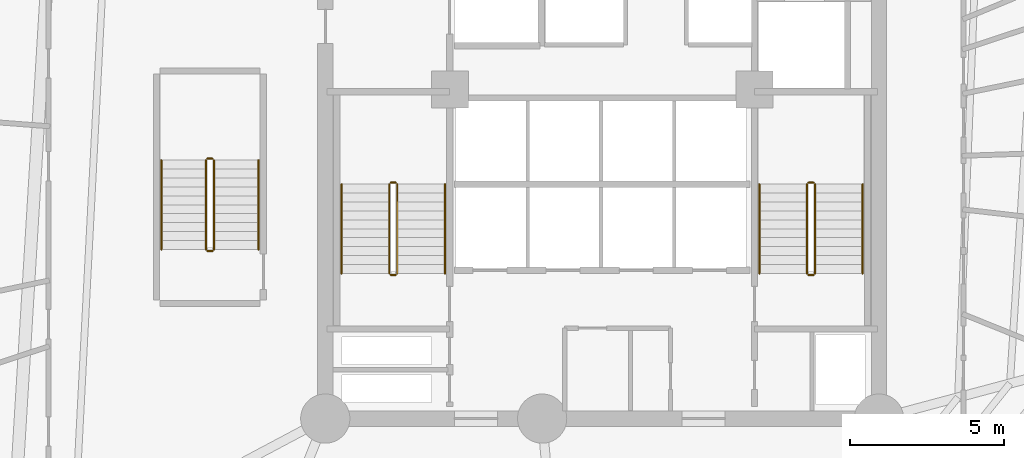
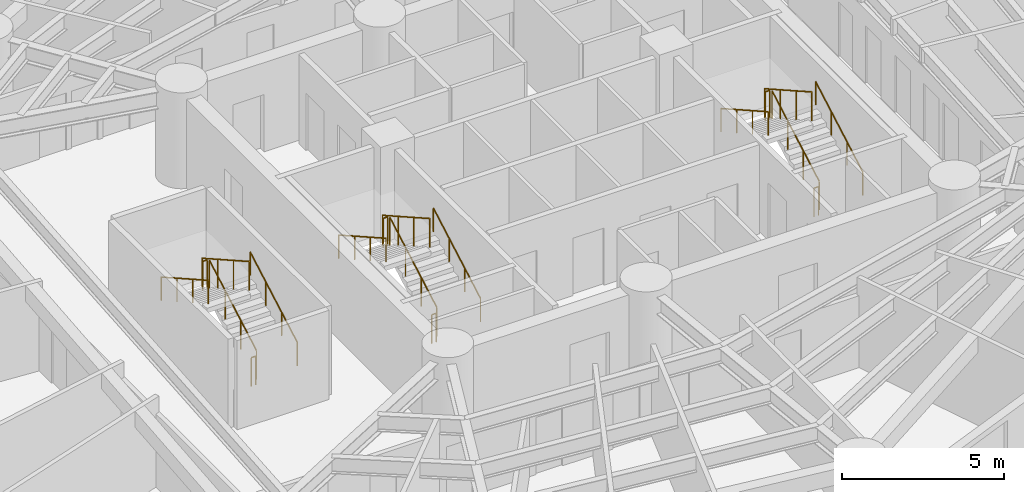
# One storey, part 8 of 8: 18 railings.
"""IFC4 building model written with IfcOpenShell, lengths in metres."""

from ifc_helpers import new_model, si_unit, direction, frame, origin, origin_2d, place, context, subcontext, project, spatial, circle, extrude, material, layer, layer_set, type_object, element, save


model = new_model("IFC4")

# Units and contexts
model_context = context("Model", 3, precision=1e-05, world=origin(), true_north=direction((0.0, 1.0)))
body_context = subcontext(model_context, "Body", "Model", "MODEL_VIEW")
ifc_project = project(units=[si_unit("LENGTHUNIT", "METRE"), si_unit("AREAUNIT", "SQUARE_METRE"), si_unit("VOLUMEUNIT", "CUBIC_METRE"), si_unit("PLANEANGLEUNIT", "RADIAN"), si_unit("MASSUNIT", "GRAM", prefix="KILO")], contexts=[model_context])

# Site, building, storey
site_placement = place(None, origin())
site = spatial("IfcSite", under=ifc_project, at=site_placement, CompositionType="ELEMENT")
building_placement = place(site_placement, origin())
building = spatial("IfcBuilding", under=site, at=building_placement, Name="Karkom Vertical University and Central Library", CompositionType="ELEMENT")
storey_placement = place(building_placement, frame((0.0, 0.0, 40.89990234375)))
storey = spatial("IfcBuildingStorey", under=building, at=storey_placement, Name="L10", CompositionType="ELEMENT", Elevation=40.89990234375)

# Railings
ifc_material_1 = material(Name="Painted galvanised steel balustrade", Category="steel")
ifc_layer_1 = layer(ifc_material_1, 0.06005859375)
ifc_layer_set_1 = layer_set([ifc_layer_1], Name="Painted galvanised steel balustrade")
railing_type_1 = type_object("IfcRailingType", Name="INT-RL-GUARD1100", PredefinedType="GUARDRAIL", material=ifc_layer_set_1)
railing_1_placement = place(storey_placement, frame((21.840087890625, 23.02001953125, 0.163818359375)))
element("IfcRailing", 1, at=railing_1_placement, inside=storey, type_object=railing_type_1, Name="Level 10 ST-1 stair guard 1", PredefinedType="GUARDRAIL", context=body_context, shape_type="SweptSolid", body=[
    extrude(circle(Radius=0.02392578125, at=origin_2d()), frame((0.0, 0.0, 1.076171875), z_axis=(0.0, 0.870928581787, 0.491409610636), x_axis=(-1.0, 0.0, 0.0)), (0.0, 0.0, 1.0), 3.32958984375),
    extrude(circle(Radius=0.02099609375, at=origin_2d()), origin(), (0.0, 0.0, 1.0), 1.052001953125),
    extrude(circle(Radius=0.02099609375, at=origin_2d()), frame((0.0, 0.966552734375, 0.54541015625)), (0.0, 0.0, 1.0), 1.052001953125),
    extrude(circle(Radius=0.02099609375, at=origin_2d()), frame((0.0, 1.933349609375, 1.0908203125)), (0.0, 0.0, 1.0), 1.052001953125),
    extrude(circle(Radius=0.02099609375, at=origin_2d()), frame((0.0, 2.89990234375, 1.63623046875)), (0.0, 0.0, 1.0), 1.052001953125),
])
railing_2_placement = place(storey_placement, frame((21.7900390625, 25.969970703125, 1.800048828125)))
element("IfcRailing", 2, at=railing_2_placement, inside=storey, type_object=railing_type_1, Name="Level 10 ST-1 stair guard 2", PredefinedType="GUARDRAIL", context=body_context, shape_type="SweptSolid", body=[
    extrude(circle(Radius=0.02392578125, at=origin_2d()), frame((0.0, 0.0, 1.076171875), z_axis=(-1.0, 0.0, 0.0), x_axis=(0.0, -1.0, 0.0)), (0.0, 0.0, 1.0), 0.16015625),
    extrude(circle(Radius=0.02099609375, at=origin_2d()), origin(), (0.0, 0.0, 1.0), 1.052001953125),
    extrude(circle(Radius=0.02099609375, at=origin_2d()), frame((-0.16015625, 0.0, 0.0)), (0.0, 0.0, 1.0), 1.052001953125),
])
railing_3_placement = place(storey_placement, frame((21.580078125, 25.919921875, 1.963623046875)))
element("IfcRailing", 3, at=railing_3_placement, inside=storey, type_object=railing_type_1, Name="Level 10 ST-1 stair guard 3", PredefinedType="GUARDRAIL", context=body_context, shape_type="SweptSolid", body=[
    extrude(circle(Radius=0.02392578125, at=origin_2d()), frame((0.0, 0.0, 1.076171875), z_axis=(0.0, -0.870897200241, 0.491465224214), x_axis=(1.0, 0.0, 0.0)), (0.0, 0.0, 1.0), 3.329833984375),
    extrude(circle(Radius=0.02099609375, at=origin_2d()), origin(), (0.0, 0.0, 1.0), 1.052001953125),
    extrude(circle(Radius=0.02099609375, at=origin_2d()), frame((0.0, -0.966552734375, 0.54541015625)), (0.0, 0.0, 1.0), 1.052001953125),
    extrude(circle(Radius=0.02099609375, at=origin_2d()), frame((0.0, -1.933349609375, 1.091064453125)), (0.0, 0.0, 1.0), 1.052001953125),
    extrude(circle(Radius=0.02099609375, at=origin_2d()), frame((0.0, -2.89990234375, 1.636474609375)), (0.0, 0.0, 1.0), 1.052001953125),
])
railing_4_placement = place(storey_placement, frame((21.7900390625, 22.969970703125, 0.0)))
element("IfcRailing", 4, at=railing_4_placement, inside=storey, type_object=railing_type_1, Name="Level 10 ST-1 stair guard 4", PredefinedType="GUARDRAIL", context=body_context, shape_type="SweptSolid", body=[
    extrude(circle(Radius=0.02392578125, at=origin_2d()), frame((0.0, 0.0, 1.076171875), z_axis=(-1.0, 0.0, 0.0), x_axis=(0.0, -1.0, 0.0)), (0.0, 0.0, 1.0), 0.16015625),
    extrude(circle(Radius=0.02099609375, at=origin_2d()), origin(), (0.0, 0.0, 1.0), 1.052001953125),
    extrude(circle(Radius=0.02099609375, at=origin_2d()), frame((-0.16015625, 0.0, 0.0)), (0.0, 0.0, 1.0), 1.052001953125),
])
railing_5_placement = place(storey_placement, frame((35.419921875, 23.02001953125, 0.163818359375)))
element("IfcRailing", 5, at=railing_5_placement, inside=storey, type_object=railing_type_1, Name="Level 10 ST-2 stair guard 1", PredefinedType="GUARDRAIL", context=body_context, shape_type="SweptSolid", body=[
    extrude(circle(Radius=0.02392578125, at=origin_2d()), frame((0.0, 0.0, 1.076171875), z_axis=(0.0, 0.870928581787, 0.491409610636), x_axis=(-1.0, 0.0, 0.0)), (0.0, 0.0, 1.0), 3.32958984375),
    extrude(circle(Radius=0.02099609375, at=origin_2d()), origin(), (0.0, 0.0, 1.0), 1.052001953125),
    extrude(circle(Radius=0.02099609375, at=origin_2d()), frame((0.0, 0.966552734375, 0.54541015625)), (0.0, 0.0, 1.0), 1.052001953125),
    extrude(circle(Radius=0.02099609375, at=origin_2d()), frame((0.0, 1.933349609375, 1.0908203125)), (0.0, 0.0, 1.0), 1.052001953125),
    extrude(circle(Radius=0.02099609375, at=origin_2d()), frame((0.0, 2.89990234375, 1.63623046875)), (0.0, 0.0, 1.0), 1.052001953125),
])
railing_6_placement = place(storey_placement, frame((35.3701171875, 25.969970703125, 1.800048828125)))
element("IfcRailing", 6, at=railing_6_placement, inside=storey, type_object=railing_type_1, Name="Level 10 ST-2 stair guard 2", PredefinedType="GUARDRAIL", context=body_context, shape_type="SweptSolid", body=[
    extrude(circle(Radius=0.02392578125, at=origin_2d()), frame((0.0, 0.0, 1.076171875), z_axis=(-1.0, 0.0, 0.0), x_axis=(0.0, -1.0, 0.0)), (0.0, 0.0, 1.0), 0.16015625),
    extrude(circle(Radius=0.02099609375, at=origin_2d()), origin(), (0.0, 0.0, 1.0), 1.052001953125),
    extrude(circle(Radius=0.02099609375, at=origin_2d()), frame((-0.16015625, 0.0, 0.0)), (0.0, 0.0, 1.0), 1.052001953125),
])
railing_7_placement = place(storey_placement, frame((35.159912109375, 25.919921875, 1.963623046875)))
element("IfcRailing", 7, at=railing_7_placement, inside=storey, type_object=railing_type_1, Name="Level 10 ST-2 stair guard 3", PredefinedType="GUARDRAIL", context=body_context, shape_type="SweptSolid", body=[
    extrude(circle(Radius=0.02392578125, at=origin_2d()), frame((0.0, 0.0, 1.076171875), z_axis=(0.0, -0.870897200241, 0.491465224214), x_axis=(1.0, 0.0, 0.0)), (0.0, 0.0, 1.0), 3.329833984375),
    extrude(circle(Radius=0.02099609375, at=origin_2d()), origin(), (0.0, 0.0, 1.0), 1.052001953125),
    extrude(circle(Radius=0.02099609375, at=origin_2d()), frame((0.0, -0.966552734375, 0.54541015625)), (0.0, 0.0, 1.0), 1.052001953125),
    extrude(circle(Radius=0.02099609375, at=origin_2d()), frame((0.0, -1.933349609375, 1.091064453125)), (0.0, 0.0, 1.0), 1.052001953125),
    extrude(circle(Radius=0.02099609375, at=origin_2d()), frame((0.0, -2.89990234375, 1.636474609375)), (0.0, 0.0, 1.0), 1.052001953125),
])
railing_8_placement = place(storey_placement, frame((35.3701171875, 22.969970703125, 0.0)))
element("IfcRailing", 8, at=railing_8_placement, inside=storey, type_object=railing_type_1, Name="Level 10 ST-2 stair guard 4", PredefinedType="GUARDRAIL", context=body_context, shape_type="SweptSolid", body=[
    extrude(circle(Radius=0.02392578125, at=origin_2d()), frame((0.0, 0.0, 1.076171875), z_axis=(-1.0, 0.0, 0.0), x_axis=(0.0, -1.0, 0.0)), (0.0, 0.0, 1.0), 0.16015625),
    extrude(circle(Radius=0.02099609375, at=origin_2d()), origin(), (0.0, 0.0, 1.0), 1.052001953125),
    extrude(circle(Radius=0.02099609375, at=origin_2d()), frame((-0.16015625, 0.0, 0.0)), (0.0, 0.0, 1.0), 1.052001953125),
])
railing_9_placement = place(storey_placement, frame((15.8798828125, 23.800048828125, 0.163818359375)))
element("IfcRailing", 9, at=railing_9_placement, inside=storey, type_object=railing_type_1, Name="Level 10 ST-3 stair guard 1", PredefinedType="GUARDRAIL", context=body_context, shape_type="SweptSolid", body=[
    extrude(circle(Radius=0.02392578125, at=origin_2d()), frame((0.0, 0.0, 1.076171875), z_axis=(0.0, 0.870928581787, 0.491409610636), x_axis=(-1.0, 0.0, 0.0)), (0.0, 0.0, 1.0), 3.32958984375),
    extrude(circle(Radius=0.02099609375, at=origin_2d()), origin(), (0.0, 0.0, 1.0), 1.052001953125),
    extrude(circle(Radius=0.02099609375, at=origin_2d()), frame((0.0, 0.966552734375, 0.54541015625)), (0.0, 0.0, 1.0), 1.052001953125),
    extrude(circle(Radius=0.02099609375, at=origin_2d()), frame((0.0, 1.933349609375, 1.0908203125)), (0.0, 0.0, 1.0), 1.052001953125),
    extrude(circle(Radius=0.02099609375, at=origin_2d()), frame((0.0, 2.89990234375, 1.63623046875)), (0.0, 0.0, 1.0), 1.052001953125),
])
railing_10_placement = place(storey_placement, frame((15.830078125, 26.75, 1.800048828125)))
element("IfcRailing", 10, at=railing_10_placement, inside=storey, type_object=railing_type_1, Name="Level 10 ST-3 stair guard 2", PredefinedType="GUARDRAIL", context=body_context, shape_type="SweptSolid", body=[
    extrude(circle(Radius=0.02392578125, at=origin_2d()), frame((0.0, 0.0, 1.076171875), z_axis=(-1.0, 0.0, 0.0), x_axis=(0.0, -1.0, 0.0)), (0.0, 0.0, 1.0), 0.16015625),
    extrude(circle(Radius=0.02099609375, at=origin_2d()), origin(), (0.0, 0.0, 1.0), 1.052001953125),
    extrude(circle(Radius=0.02099609375, at=origin_2d()), frame((-0.16015625, 0.0, 0.0)), (0.0, 0.0, 1.0), 1.052001953125),
])
railing_11_placement = place(storey_placement, frame((15.6201171875, 26.699951171875, 1.963623046875)))
element("IfcRailing", 11, at=railing_11_placement, inside=storey, type_object=railing_type_1, Name="Level 10 ST-3 stair guard 3", PredefinedType="GUARDRAIL", context=body_context, shape_type="SweptSolid", body=[
    extrude(circle(Radius=0.02392578125, at=origin_2d()), frame((0.0, 0.0, 1.076171875), z_axis=(0.0, -0.870897200241, 0.491465224214), x_axis=(1.0, 0.0, 0.0)), (0.0, 0.0, 1.0), 3.329833984375),
    extrude(circle(Radius=0.02099609375, at=origin_2d()), origin(), (0.0, 0.0, 1.0), 1.052001953125),
    extrude(circle(Radius=0.02099609375, at=origin_2d()), frame((0.0, -0.966552734375, 0.54541015625)), (0.0, 0.0, 1.0), 1.052001953125),
    extrude(circle(Radius=0.02099609375, at=origin_2d()), frame((0.0, -1.933349609375, 1.091064453125)), (0.0, 0.0, 1.0), 1.052001953125),
    extrude(circle(Radius=0.02099609375, at=origin_2d()), frame((0.0, -2.89990234375, 1.636474609375)), (0.0, 0.0, 1.0), 1.052001953125),
])
railing_12_placement = place(storey_placement, frame((15.830078125, 23.75, 0.0)))
element("IfcRailing", 12, at=railing_12_placement, inside=storey, type_object=railing_type_1, Name="Level 10 ST-3 stair guard 4", PredefinedType="GUARDRAIL", context=body_context, shape_type="SweptSolid", body=[
    extrude(circle(Radius=0.02392578125, at=origin_2d()), frame((0.0, 0.0, 1.076171875), z_axis=(-1.0, 0.0, 0.0), x_axis=(0.0, -1.0, 0.0)), (0.0, 0.0, 1.0), 0.16015625),
    extrude(circle(Radius=0.02099609375, at=origin_2d()), origin(), (0.0, 0.0, 1.0), 1.052001953125),
    extrude(circle(Radius=0.02099609375, at=origin_2d()), frame((-0.16015625, 0.0, 0.0)), (0.0, 0.0, 1.0), 1.052001953125),
])
ifc_material_2 = material(Name="Brushed stainless-steel tubular handrail", Category="steel")
ifc_layer_2 = layer(ifc_material_2, 0.048095703125)
ifc_layer_set_2 = layer_set([ifc_layer_2], Name="Brushed stainless-steel tubular handrail")
railing_type_2 = type_object("IfcRailingType", Name="INT-RL-HAND920", PredefinedType="HANDRAIL", material=ifc_layer_set_2)
railing_13_placement = place(storey_placement, frame((23.389892578125, 23.02001953125, 0.163818359375)))
element("IfcRailing", 13, at=railing_13_placement, inside=storey, type_object=railing_type_2, Name="Level 10 ST-1 stair handrail 1", PredefinedType="HANDRAIL", context=body_context, shape_type="SweptSolid", body=[
    extrude(circle(Radius=0.02392578125, at=origin_2d()), frame((0.0, 0.0, 0.8759765625), z_axis=(0.0, 0.870928581787, 0.491409610636), x_axis=(-1.0, 0.0, 0.0)), (0.0, 0.0, 1.0), 3.32958984375),
    extrude(circle(Radius=0.02099609375, at=origin_2d()), origin(), (0.0, 0.0, 1.0), 0.851806640625),
    extrude(circle(Radius=0.02099609375, at=origin_2d()), frame((0.0, 0.966552734375, 0.54541015625)), (0.0, 0.0, 1.0), 0.851806640625),
    extrude(circle(Radius=0.02099609375, at=origin_2d()), frame((0.0, 1.933349609375, 1.0908203125)), (0.0, 0.0, 1.0), 0.851806640625),
    extrude(circle(Radius=0.02099609375, at=origin_2d()), frame((0.0, 2.89990234375, 1.63623046875)), (0.0, 0.0, 1.0), 0.851806640625),
])
railing_14_placement = place(storey_placement, frame((20.030029296875, 25.919921875, 1.963623046875)))
element("IfcRailing", 14, at=railing_14_placement, inside=storey, type_object=railing_type_2, Name="Level 10 ST-1 stair handrail 2", PredefinedType="HANDRAIL", context=body_context, shape_type="SweptSolid", body=[
    extrude(circle(Radius=0.02392578125, at=origin_2d()), frame((0.0, 0.0, 0.8759765625), z_axis=(0.0, -0.870897200241, 0.491465224214), x_axis=(1.0, 0.0, 0.0)), (0.0, 0.0, 1.0), 3.329833984375),
    extrude(circle(Radius=0.02099609375, at=origin_2d()), origin(), (0.0, 0.0, 1.0), 0.851806640625),
    extrude(circle(Radius=0.02099609375, at=origin_2d()), frame((0.0, -0.966552734375, 0.54541015625)), (0.0, 0.0, 1.0), 0.851806640625),
    extrude(circle(Radius=0.02099609375, at=origin_2d()), frame((0.0, -1.933349609375, 1.091064453125)), (0.0, 0.0, 1.0), 0.851806640625),
    extrude(circle(Radius=0.02099609375, at=origin_2d()), frame((0.0, -2.89990234375, 1.636474609375)), (0.0, 0.0, 1.0), 0.851806640625),
])
railing_15_placement = place(storey_placement, frame((36.969970703125, 23.02001953125, 0.163818359375)))
element("IfcRailing", 15, at=railing_15_placement, inside=storey, type_object=railing_type_2, Name="Level 10 ST-2 stair handrail 1", PredefinedType="HANDRAIL", context=body_context, shape_type="SweptSolid", body=[
    extrude(circle(Radius=0.02392578125, at=origin_2d()), frame((0.0, 0.0, 0.8759765625), z_axis=(0.0, 0.870928581787, 0.491409610636), x_axis=(-1.0, 0.0, 0.0)), (0.0, 0.0, 1.0), 3.32958984375),
    extrude(circle(Radius=0.02099609375, at=origin_2d()), origin(), (0.0, 0.0, 1.0), 0.851806640625),
    extrude(circle(Radius=0.02099609375, at=origin_2d()), frame((0.0, 0.966552734375, 0.54541015625)), (0.0, 0.0, 1.0), 0.851806640625),
    extrude(circle(Radius=0.02099609375, at=origin_2d()), frame((0.0, 1.933349609375, 1.0908203125)), (0.0, 0.0, 1.0), 0.851806640625),
    extrude(circle(Radius=0.02099609375, at=origin_2d()), frame((0.0, 2.89990234375, 1.63623046875)), (0.0, 0.0, 1.0), 0.851806640625),
])
railing_16_placement = place(storey_placement, frame((33.610107421875, 25.919921875, 1.963623046875)))
element("IfcRailing", 16, at=railing_16_placement, inside=storey, type_object=railing_type_2, Name="Level 10 ST-2 stair handrail 2", PredefinedType="HANDRAIL", context=body_context, shape_type="SweptSolid", body=[
    extrude(circle(Radius=0.02392578125, at=origin_2d()), frame((0.0, 0.0, 0.8759765625), z_axis=(0.0, -0.870897200241, 0.491465224214), x_axis=(1.0, 0.0, 0.0)), (0.0, 0.0, 1.0), 3.329833984375),
    extrude(circle(Radius=0.02099609375, at=origin_2d()), origin(), (0.0, 0.0, 1.0), 0.851806640625),
    extrude(circle(Radius=0.02099609375, at=origin_2d()), frame((0.0, -0.966552734375, 0.54541015625)), (0.0, 0.0, 1.0), 0.851806640625),
    extrude(circle(Radius=0.02099609375, at=origin_2d()), frame((0.0, -1.933349609375, 1.091064453125)), (0.0, 0.0, 1.0), 0.851806640625),
    extrude(circle(Radius=0.02099609375, at=origin_2d()), frame((0.0, -2.89990234375, 1.636474609375)), (0.0, 0.0, 1.0), 0.851806640625),
])
railing_17_placement = place(storey_placement, frame((17.330078125, 23.800048828125, 0.163818359375)))
element("IfcRailing", 17, at=railing_17_placement, inside=storey, type_object=railing_type_2, Name="Level 10 ST-3 stair handrail 1", PredefinedType="HANDRAIL", context=body_context, shape_type="SweptSolid", body=[
    extrude(circle(Radius=0.02392578125, at=origin_2d()), frame((0.0, 0.0, 0.8759765625), z_axis=(0.0, 0.870928581787, 0.491409610636), x_axis=(-1.0, 0.0, 0.0)), (0.0, 0.0, 1.0), 3.32958984375),
    extrude(circle(Radius=0.02099609375, at=origin_2d()), origin(), (0.0, 0.0, 1.0), 0.851806640625),
    extrude(circle(Radius=0.02099609375, at=origin_2d()), frame((0.0, 0.966552734375, 0.54541015625)), (0.0, 0.0, 1.0), 0.851806640625),
    extrude(circle(Radius=0.02099609375, at=origin_2d()), frame((0.0, 1.933349609375, 1.0908203125)), (0.0, 0.0, 1.0), 0.851806640625),
    extrude(circle(Radius=0.02099609375, at=origin_2d()), frame((0.0, 2.89990234375, 1.63623046875)), (0.0, 0.0, 1.0), 0.851806640625),
])
railing_18_placement = place(storey_placement, frame((14.169921875, 26.699951171875, 1.963623046875)))
element("IfcRailing", 18, at=railing_18_placement, inside=storey, type_object=railing_type_2, Name="Level 10 ST-3 stair handrail 2", PredefinedType="HANDRAIL", context=body_context, shape_type="SweptSolid", body=[
    extrude(circle(Radius=0.02392578125, at=origin_2d()), frame((0.0, 0.0, 0.8759765625), z_axis=(0.0, -0.870897200241, 0.491465224214), x_axis=(1.0, 0.0, 0.0)), (0.0, 0.0, 1.0), 3.329833984375),
    extrude(circle(Radius=0.02099609375, at=origin_2d()), origin(), (0.0, 0.0, 1.0), 0.851806640625),
    extrude(circle(Radius=0.02099609375, at=origin_2d()), frame((0.0, -0.966552734375, 0.54541015625)), (0.0, 0.0, 1.0), 0.851806640625),
    extrude(circle(Radius=0.02099609375, at=origin_2d()), frame((0.0, -1.933349609375, 1.091064453125)), (0.0, 0.0, 1.0), 0.851806640625),
    extrude(circle(Radius=0.02099609375, at=origin_2d()), frame((0.0, -2.89990234375, 1.636474609375)), (0.0, 0.0, 1.0), 0.851806640625),
])

save(model, "model.ifc")
